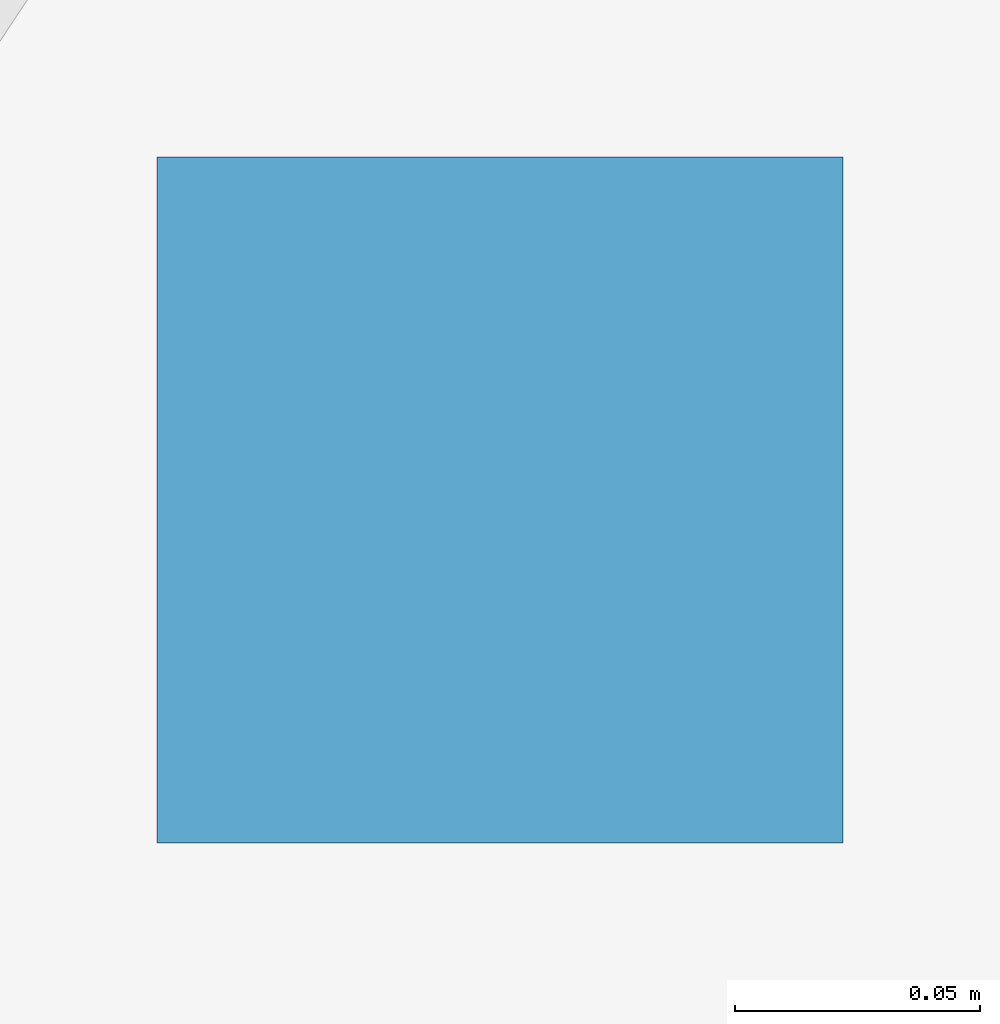
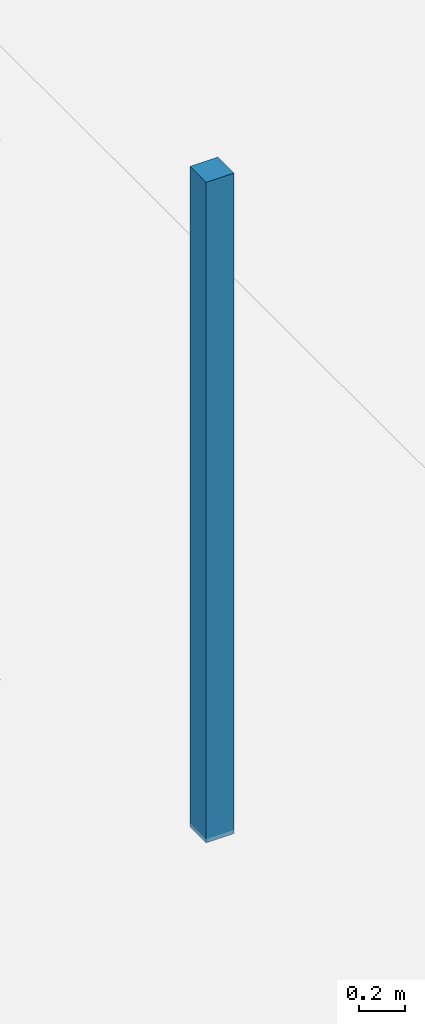
# One storey, part 38 of 45: 1 discrete accessory.
"""IFC4 building model written with IfcOpenShell, lengths in metres."""

from ifc_helpers import new_model, si_unit, direction, frame, origin, origin_2d, place, context, subcontext, project, spatial, rectangle, extrude, material, type_object, element, save


model = new_model("IFC4")

# Units and contexts
model_context = context("Model", 3, precision=1e-05, world=origin(), true_north=direction((0.0, 1.0)))
body_context = subcontext(model_context, "Body", "Model", "MODEL_VIEW")
ifc_project = project(units=[si_unit("LENGTHUNIT", "METRE"), si_unit("AREAUNIT", "SQUARE_METRE"), si_unit("VOLUMEUNIT", "CUBIC_METRE"), si_unit("PLANEANGLEUNIT", "RADIAN"), si_unit("MASSUNIT", "GRAM", prefix="KILO")], contexts=[model_context])

# Site, building, storey
site_placement = place(None, origin())
site = spatial("IfcSite", under=ifc_project, at=site_placement, CompositionType="ELEMENT")
building_placement = place(site_placement, origin())
building = spatial("IfcBuilding", under=site, at=building_placement, Name="Qorvath Tower", CompositionType="ELEMENT")
storey_placement = place(building_placement, origin())
storey = spatial("IfcBuildingStorey", under=building, at=storey_placement, Name="L00", CompositionType="ELEMENT", Elevation=0.0)

# Discrete accessory
ifc_material = material(Name="Galvanised steel bracket", Category="steel")
discrete_accessory_type = type_object("IfcDiscreteAccessoryType", Name="DA-BRACKET", PredefinedType="BRACKET", material=ifc_material)
discrete_accessory_placement = place(storey_placement, frame((-14.085693359375, 23.357421875, 2.85986328125), z_axis=(0.0, 0.0, 1.0), x_axis=(1.0, 0.0, 0.0)))
element("IfcDiscreteAccessory", 1, at=discrete_accessory_placement, inside=storey, type_object=discrete_accessory_type, Name="Acoustic Ceiling Suspension Hanger T1-L00-011", PredefinedType="NOTDEFINED", context=body_context, shape_type="SweptSolid", body=[
    extrude(rectangle(XDim=0.139892578125, YDim=0.139892578125, at=origin_2d()), origin(), (0.0, 0.0, 1.0), 3.510009765625),
])

save(model, "model.ifc")
